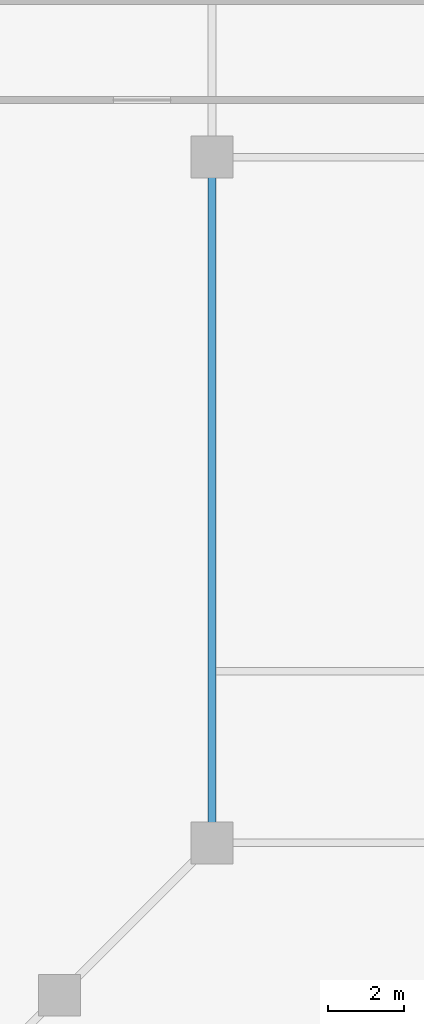
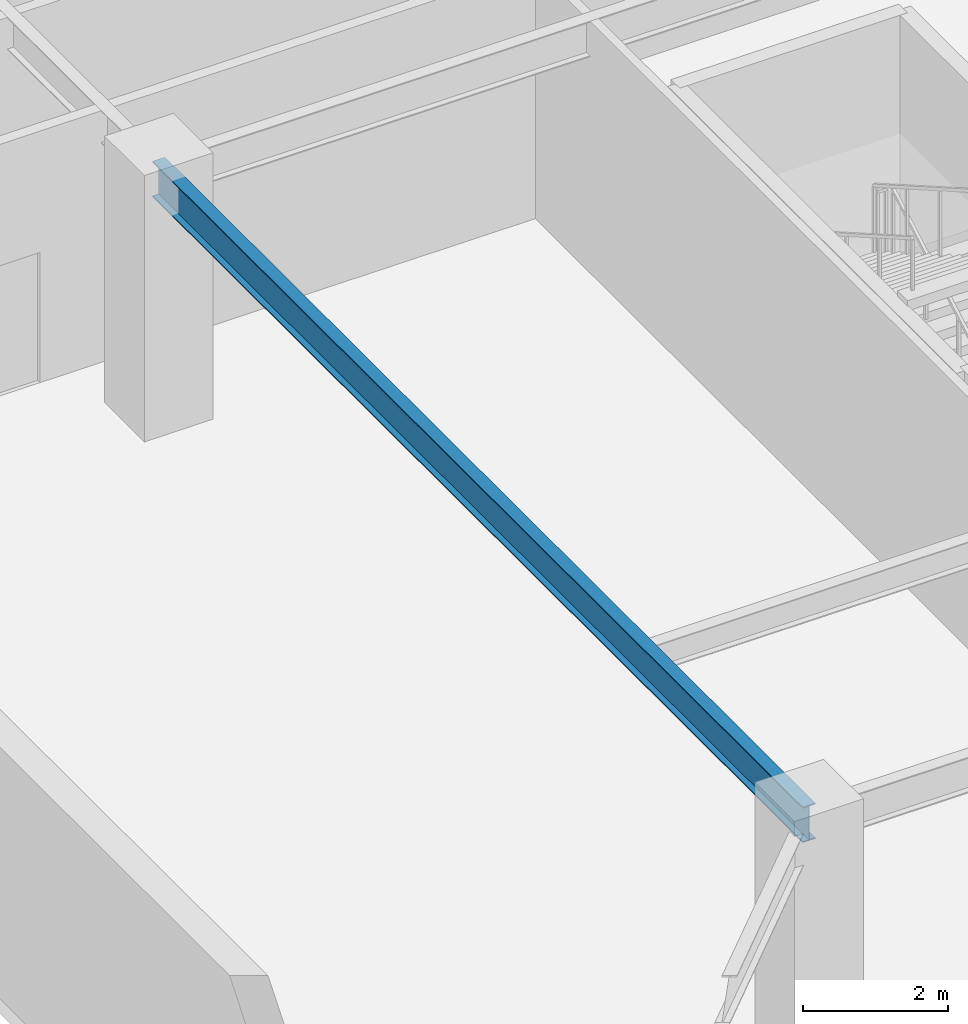
# One storey, part 5 of 29: 1 beam.
"""IFC4 building model written with IfcOpenShell, lengths in metres."""

from ifc_helpers import new_model, si_unit, direction, frame, origin, origin_2d, place, context, subcontext, project, spatial, i_section, extrude, source, transform, mapped, material, material_profile, profile_set, type_object, element, save


model = new_model("IFC4")

# Units and contexts
model_context = context("Model", 3, precision=1e-05, world=origin(), true_north=direction((0.0, 1.0)))
body_context = subcontext(model_context, "Body", "Model", "MODEL_VIEW")
ifc_project = project(units=[si_unit("LENGTHUNIT", "METRE"), si_unit("AREAUNIT", "SQUARE_METRE"), si_unit("VOLUMEUNIT", "CUBIC_METRE"), si_unit("PLANEANGLEUNIT", "RADIAN"), si_unit("MASSUNIT", "GRAM", prefix="KILO")], contexts=[model_context])

# Site, building, storey
site_placement = place(None, origin())
site = spatial("IfcSite", under=ifc_project, at=site_placement, CompositionType="ELEMENT")
building_placement = place(site_placement, origin())
building = spatial("IfcBuilding", under=site, at=building_placement, Name="Liaohun Quay Tower", CompositionType="ELEMENT")
storey_placement = place(building_placement, frame((0.0, 0.0, 5.39990234375)))
storey = spatial("IfcBuildingStorey", under=building, at=storey_placement, Name="L02", CompositionType="ELEMENT", Elevation=5.39990234375)

# Beam
ifc_material = material(Name="Steel Q355D", Category="steel")
ifc_material_profile = material_profile(ifc_material, i_section(OverallWidth=0.199951171875, OverallDepth=0.60009765625, WebThickness=0.010986328125, FlangeThickness=0.01708984375, at=origin_2d()), Name="HN600x200x11x17")
ifc_profile_set = profile_set([ifc_material_profile], Name="Steel Q355D")
beam_type = type_object("IfcBeamType", Name="BM-POD-G1", PredefinedType="BEAM", material=ifc_profile_set)
shared_shape = source(origin(), body_context, "Body", "SweptSolid", [
    extrude(i_section(OverallWidth=0.199951171875, OverallDepth=0.60009765625, WebThickness=0.010986328125, FlangeThickness=0.01708984375, at=origin_2d()), origin(), (0.0, 0.0, 1.0), 18.0),
])
beam_placement = place(storey_placement, frame((24.0, 24.0, 3.9501953125), z_axis=(0.0, 1.0, 0.0), x_axis=(-1.0, 0.0, 0.0)))
element("IfcBeam", 1, at=beam_placement, inside=storey, type_object=beam_type, Name="L02 Primary Grid Girder PG01-PG06", PredefinedType="BEAM", context=body_context, shape_type="MappedRepresentation", body=[
    mapped(shared_shape, transform((0.0, 0.0, 0.0), x_axis=(1.0, 0.0, 0.0), y_axis=(0.0, 1.0, 0.0), z_axis=(0.0, 0.0, 1.0), scale=1.0)),
])

save(model, "model.ifc")
